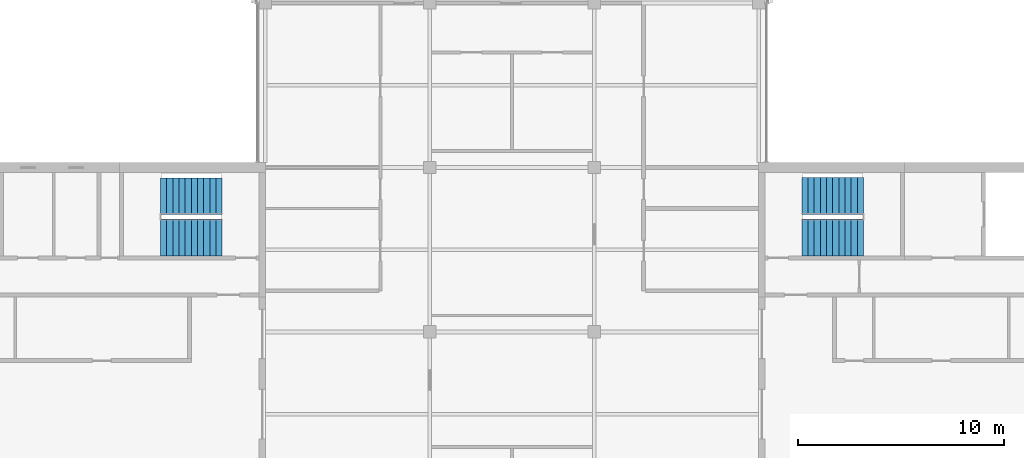
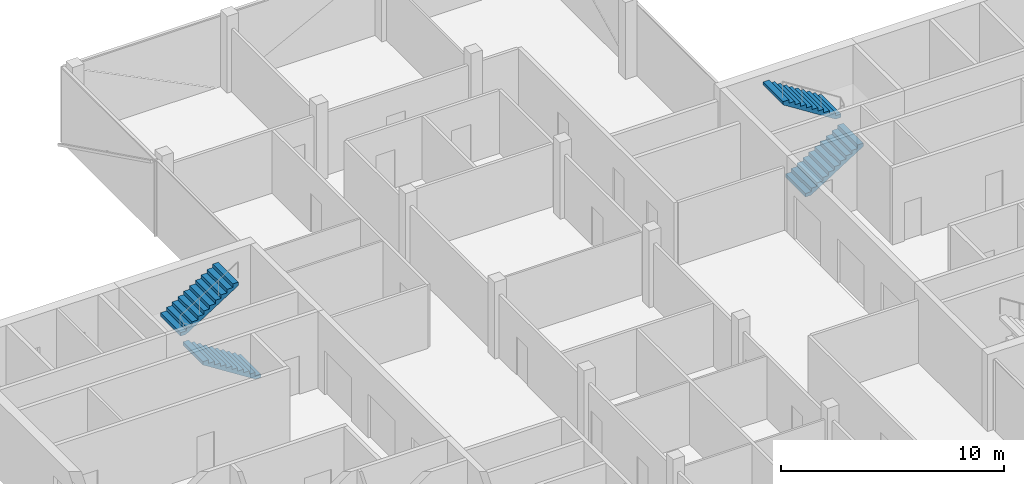
# One storey, part 13 of 16: 4 stair flights, 2 elements without a shape of their own.
"""IFC4 building model written with IfcOpenShell, lengths in metres."""

import ifcopenshell
import ifcopenshell.guid

model = None  # the IFC model being written
_history = None  # IfcOwnerHistory: only IFC2X3 demands one
_inside = {}  # id of a spatial element -> (the spatial element, [elements in it])
_under = {}  # id of a project, library or spatial element -> (it, [spatial elements below it])
_declared = {}  # id of a project -> (the project, [libraries it declares])
_typed = {}  # id of a type object -> (the type object, [elements of that type])
_made_of = {}  # id of a material, layer set ... -> (it, [elements and type objects made of it])


def new_model(schema):
    """Start an empty IFC model of exactly this schema.

    Asked for "IFC4X3", IfcOpenShell would pick the latest addendum, in which some entities
    have other attributes; the version numbers below select the first issue.
    IFC2X3 requires an IfcOwnerHistory on every rooted entity: one is made here for all.
    """
    global model, _history
    if schema == "IFC4X3":
        model = ifcopenshell.file(schema_version=(4, 3, 0, 0))
    else:
        model = ifcopenshell.file(schema=schema)
    _inside.clear()
    _under.clear()
    _declared.clear()
    _typed.clear()
    _made_of.clear()
    _history = None
    if model.schema == "IFC2X3":
        org = make("IfcOrganization", Name="unknown")
        user = make(
            "IfcPersonAndOrganization",
            ThePerson=make("IfcPerson", FamilyName="unknown"),
            TheOrganization=org,
        )
        app = make(
            "IfcApplication",
            ApplicationDeveloper=org,
            Version="unknown",
            ApplicationFullName="unknown",
            ApplicationIdentifier="unknown",
        )
        _history = make(
            "IfcOwnerHistory",
            OwningUser=user,
            OwningApplication=app,
            ChangeAction="ADDED",
            CreationDate=0,
        )
    return model


def make(cls, **values):
    """One entity of the class cls with the attributes given. An attribute that is None is left unset."""
    return model.create_entity(
        cls, **{name: value for name, value in values.items() if value is not None}
    )


def rooted(cls, **values):
    """An entity with a GlobalId (a new one), such as an element, a storey or a relation."""
    return make(cls, GlobalId=ifcopenshell.guid.new(), OwnerHistory=_history, **values)


def si_unit(unit_type, name, prefix=None):
    """IfcSIUnit, for example si_unit("LENGTHUNIT", "METRE", prefix="MILLI")."""
    return make("IfcSIUnit", UnitType=unit_type, Prefix=prefix, Name=name)


def assignment(units):
    """IfcUnitAssignment: the units of a project."""
    return None if units is None else make("IfcUnitAssignment", Units=units)


def point(xyz):
    """IfcCartesianPoint."""
    return None if xyz is None else make("IfcCartesianPoint", Coordinates=xyz)


def direction(xyz):
    """IfcDirection."""
    return None if xyz is None else make("IfcDirection", DirectionRatios=xyz)


def frame(location, z_axis=None, x_axis=None):
    """IfcAxis2Placement3D, a coordinate frame: its origin and axes. An axis left out is left unset."""
    return make(
        "IfcAxis2Placement3D",
        Location=point(location),
        Axis=direction(z_axis),
        RefDirection=direction(x_axis),
    )


def origin():
    """The frame at (0, 0, 0) with its axes left unset."""
    return frame((0.0, 0.0, 0.0))


def place(relative_to, where):
    """IfcLocalPlacement: puts the frame where relative to a parent placement (None: the world)."""
    return make(
        "IfcLocalPlacement", PlacementRelTo=relative_to, RelativePlacement=where
    )


def context(
    kind, dimensions, precision=None, world=None, true_north=None, identifier=None
):
    """IfcGeometricRepresentationContext, for example the 3D "Model" context."""
    return make(
        "IfcGeometricRepresentationContext",
        ContextIdentifier=identifier,
        ContextType=kind,
        CoordinateSpaceDimension=dimensions,
        Precision=precision,
        WorldCoordinateSystem=world,
        TrueNorth=true_north,
    )


def subcontext(parent, identifier, kind, view, scale=None):
    """IfcGeometricRepresentationSubContext, for example "Body" below "Model"."""
    return make(
        "IfcGeometricRepresentationSubContext",
        ContextIdentifier=identifier,
        ContextType=kind,
        ParentContext=parent,
        TargetScale=scale,
        TargetView=view,
    )


def project(units=None, contexts=None):
    """IfcProject with its units and contexts."""
    return rooted(
        "IfcProject",
        Name="project",
        RepresentationContexts=contexts,
        UnitsInContext=assignment(units),
    )


def spatial(cls, under=None, at=None, **own):
    """A site, building, storey or space (cls), placed at a placement, below another one or the project."""
    s = rooted(cls, ObjectPlacement=at, **own)
    if under is not None:
        _under.setdefault(under.id(), (under, []))[1].append(s)
    return s


def polyline(points):
    """IfcPolyline through the points."""
    return make("IfcPolyline", Points=[point(p) for p in points])


def outline(outer, holes=None, kind="AREA"):
    """IfcArbitraryClosedProfileDef: a profile drawn as a closed curve; with holes, ...WithVoids."""
    if holes is None:
        return make("IfcArbitraryClosedProfileDef", ProfileType=kind, OuterCurve=outer)
    return make(
        "IfcArbitraryProfileDefWithVoids",
        ProfileType=kind,
        OuterCurve=outer,
        InnerCurves=holes,
    )


def extrude(swept, where, along, depth):
    """IfcExtrudedAreaSolid: the profile swept, set in the frame where, extruded along a direction by depth."""
    return make(
        "IfcExtrudedAreaSolid",
        SweptArea=swept,
        Position=where,
        ExtrudedDirection=direction(along),
        Depth=depth,
    )


def shape(context_of_items, identifier, shape_type, items):
    """IfcShapeRepresentation: the items that make up one representation, for example the "Body"."""
    return make(
        "IfcShapeRepresentation",
        ContextOfItems=context_of_items,
        RepresentationIdentifier=identifier,
        RepresentationType=shape_type,
        Items=items,
    )


def material(Name=None, Category=None):
    """IfcMaterial."""
    return make("IfcMaterial", Name=Name, Category=Category)


def made_of(thing, what):
    """Note that an element or type object is made of a material, layer set ...; save() writes the relation."""
    if what is not None:
        _made_of.setdefault(what.id(), (what, []))[1].append(thing)
    return thing


def type_object(cls, material=None, **own):
    """A type object (cls), such as IfcWallType, which elements share."""
    return made_of(rooted(cls, **own), material)


def element(
    cls,
    number,
    at=None,
    inside=None,
    cuts=None,
    type_object=None,
    material=None,
    context=None,
    identifier="Body",
    shape_type=None,
    held_by="IfcProductDefinitionShape",
    body=None,
    shapes=None,
    **own,
):
    """One element of the class cls, such as IfcWall. Its Tag is "e" and its number.

    at: its placement. inside: the storey or other place that contains it. cuts: it is an
    opening in that element (IfcRelVoidsElement). A single representation is given by context,
    identifier, shape_type and body (its items); several are given by shapes. held_by: the class
    of the entity that holds the representations. save() writes the other relations.
    """
    e = rooted(cls, Tag="e%d" % number, ObjectPlacement=at, **own)
    if body is not None:
        shapes = [shape(context, identifier, shape_type, body)]
    if shapes is not None:
        e.Representation = make(held_by, Representations=shapes)
    if inside is not None:
        _inside.setdefault(inside.id(), (inside, []))[1].append(e)
    if cuts is not None:
        rooted(
            "IfcRelVoidsElement", RelatingBuildingElement=cuts, RelatedOpeningElement=e
        )
    if type_object is not None:
        _typed.setdefault(type_object.id(), (type_object, []))[1].append(e)
    return made_of(e, material)


def aggregate(whole, parts):
    """IfcRelAggregates: a whole, such as a stair, and the parts it consists of."""
    return rooted("IfcRelAggregates", RelatingObject=whole, RelatedObjects=parts)


def save(model, path):
    """Write the relations noted so far, then the file.

    IfcRelAggregates (storeys below a building ...), IfcRelContainedInSpatialStructure (elements
    in a storey), IfcRelDefinesByType, IfcRelAssociatesMaterial and IfcRelDeclares: one each for
    every whole, place, type object, material and project.
    """
    for whole, parts in _under.values():
        aggregate(whole, parts)
    for where, things in _inside.values():
        rooted(
            "IfcRelContainedInSpatialStructure",
            RelatedElements=things,
            RelatingStructure=where,
        )
    for kind, things in _typed.values():
        rooted("IfcRelDefinesByType", RelatedObjects=things, RelatingType=kind)
    for what, things in _made_of.values():
        rooted("IfcRelAssociatesMaterial", RelatedObjects=things, RelatingMaterial=what)
    for by, libraries in _declared.values():
        rooted("IfcRelDeclares", RelatingContext=by, RelatedDefinitions=libraries)
    model.write(path)


model = new_model("IFC4")

# Units and contexts
model_context = context("Model", 3, precision=1e-05, world=origin(), true_north=direction((0.0, 1.0)))
body_context = subcontext(model_context, "Body", "Model", "MODEL_VIEW")
ifc_project = project(units=[si_unit("LENGTHUNIT", "METRE"), si_unit("AREAUNIT", "SQUARE_METRE"), si_unit("VOLUMEUNIT", "CUBIC_METRE"), si_unit("PLANEANGLEUNIT", "RADIAN"), si_unit("MASSUNIT", "GRAM", prefix="KILO")], contexts=[model_context])

# Site, building, storey
site_placement = place(None, origin())
site = spatial("IfcSite", under=ifc_project, at=site_placement, CompositionType="ELEMENT")
building_placement = place(site_placement, origin())
building = spatial("IfcBuilding", under=site, at=building_placement, Name="Crosswind Convention Tower", CompositionType="ELEMENT")
storey_placement = place(building_placement, frame((0.0, 0.0, 340.699951171875)))
storey = spatial("IfcBuildingStorey", under=building, at=storey_placement, Name="L74", CompositionType="ELEMENT", Elevation=340.699951171875)

# Stair, stair flights
ifc_material = material(Name="Concrete C40/50", Category="concrete")
stair_type = type_object("IfcStairType", Name="Exit stair 1800 wide, 2 flights of 11 risers", PredefinedType="HALF_TURN_STAIR", material=ifc_material)
stair_1_placement = place(storey_placement, origin())
stair_1 = element("IfcStair", 1, at=stair_1_placement, inside=storey, type_object=stair_type, Name="Exit stair ST1 L74", ObjectType="ST5", PredefinedType="HALF_TURN_STAIR")
stair_flight_type = type_object("IfcStairFlightType", Name="Stair flight 1800 wide, 11 risers (SF4)", PredefinedType="STRAIGHT", material=ifc_material)
stair_flight_1_placement = place(storey_placement, frame((139.10009765625, 108.60009765625, 0.0), z_axis=(0.0, 0.0, 1.0), x_axis=(1.0, 0.0, 0.0)))
stair_flight_1 = element("IfcStairFlight", 2, at=stair_flight_1_placement, type_object=stair_flight_type, Name="ST1 flight 1", NumberOfRisers=11, NumberOfTreads=10, PredefinedType="STRAIGHT", RiserHeight=0.190909091, TreadLength=0.3, context=body_context, shape_type="SweptSolid", body=[
    extrude(outline(polyline([(0.0, 0.0), (0.0, 0.19091796875), (0.300048828125, 0.19091796875), (0.300048828125, 0.3818359375), (0.60009765625, 0.3818359375), (0.60009765625, 0.57275390625), (0.89990234375, 0.57275390625), (0.89990234375, 0.763671875), (1.199951171875, 0.763671875), (1.199951171875, 0.95458984375), (1.5, 0.95458984375), (1.5, 1.1455078125), (1.800048828125, 1.1455078125), (1.800048828125, 1.33642578125), (2.10009765625, 1.33642578125), (2.10009765625, 1.52734375), (2.39990234375, 1.52734375), (2.39990234375, 1.71826171875), (2.699951171875, 1.71826171875), (2.699951171875, 1.9091796875), (3.0, 1.9091796875), (3.0, 2.10009765625), (3.0, 1.7314453125), (0.279296875, 0.0), (0.0, 0.0)])), frame((0.0, 0.89990234375, 0.0), z_axis=(0.0, -1.0, 0.0), x_axis=(1.0, 0.0, 0.0)), (0.0, 0.0, 1.0), 1.800048828125),
])
stair_flight_2_placement = place(storey_placement, frame((142.10009765625, 110.60009765625, 2.10009765625), z_axis=(0.0, 0.0, 1.0), x_axis=(-1.0, 0.0, 0.0)))
stair_flight_2 = element("IfcStairFlight", 3, at=stair_flight_2_placement, type_object=stair_flight_type, Name="ST1 flight 2", NumberOfRisers=11, NumberOfTreads=10, PredefinedType="STRAIGHT", RiserHeight=0.190909091, TreadLength=0.3, context=body_context, shape_type="SweptSolid", body=[
    extrude(outline(polyline([(0.0, 0.0), (0.0, 0.19091796875), (0.300048828125, 0.19091796875), (0.300048828125, 0.3818359375), (0.60009765625, 0.3818359375), (0.60009765625, 0.57275390625), (0.89990234375, 0.57275390625), (0.89990234375, 0.763671875), (1.199951171875, 0.763671875), (1.199951171875, 0.95458984375), (1.5, 0.95458984375), (1.5, 1.1455078125), (1.800048828125, 1.1455078125), (1.800048828125, 1.33642578125), (2.10009765625, 1.33642578125), (2.10009765625, 1.52734375), (2.39990234375, 1.52734375), (2.39990234375, 1.71826171875), (2.699951171875, 1.71826171875), (2.699951171875, 1.9091796875), (3.0, 1.9091796875), (3.0, 2.10009765625), (3.0, 1.7314453125), (0.279296875, 0.0), (0.0, 0.0)])), frame((0.0, 0.89990234375, 0.0), z_axis=(0.0, -1.0, 0.0), x_axis=(1.0, 0.0, 0.0)), (0.0, 0.0, 1.0), 1.800048828125),
])
aggregate(stair_1, [stair_flight_1, stair_flight_2])

stair_2_placement = place(storey_placement, origin())
stair_2 = element("IfcStair", 4, at=stair_2_placement, inside=storey, type_object=stair_type, Name="Exit stair ST4 L74", ObjectType="ST5", PredefinedType="HALF_TURN_STAIR")
stair_flight_3_placement = place(storey_placement, frame((110.89990234375, 108.60009765625, 0.0), z_axis=(0.0, 0.0, 1.0), x_axis=(-1.0, 0.0, 0.0)))
stair_flight_3 = element("IfcStairFlight", 5, at=stair_flight_3_placement, type_object=stair_flight_type, Name="ST4 flight 1", NumberOfRisers=11, NumberOfTreads=10, PredefinedType="STRAIGHT", RiserHeight=0.190909091, TreadLength=0.3, context=body_context, shape_type="SweptSolid", body=[
    extrude(outline(polyline([(0.0, 0.0), (0.0, 0.19091796875), (0.300048828125, 0.19091796875), (0.300048828125, 0.3818359375), (0.60009765625, 0.3818359375), (0.60009765625, 0.57275390625), (0.89990234375, 0.57275390625), (0.89990234375, 0.763671875), (1.199951171875, 0.763671875), (1.199951171875, 0.95458984375), (1.5, 0.95458984375), (1.5, 1.1455078125), (1.800048828125, 1.1455078125), (1.800048828125, 1.33642578125), (2.10009765625, 1.33642578125), (2.10009765625, 1.52734375), (2.39990234375, 1.52734375), (2.39990234375, 1.71826171875), (2.699951171875, 1.71826171875), (2.699951171875, 1.9091796875), (3.0, 1.9091796875), (3.0, 2.10009765625), (3.0, 1.7314453125), (0.279296875, 0.0), (0.0, 0.0)])), frame((0.0, 0.89990234375, 0.0), z_axis=(0.0, -1.0, 0.0), x_axis=(1.0, 0.0, 0.0)), (0.0, 0.0, 1.0), 1.800048828125),
])
stair_flight_4_placement = place(storey_placement, frame((107.89990234375, 110.60009765625, 2.10009765625), z_axis=(0.0, 0.0, 1.0), x_axis=(1.0, 0.0, 0.0)))
stair_flight_4 = element("IfcStairFlight", 6, at=stair_flight_4_placement, type_object=stair_flight_type, Name="ST4 flight 2", NumberOfRisers=11, NumberOfTreads=10, PredefinedType="STRAIGHT", RiserHeight=0.190909091, TreadLength=0.3, context=body_context, shape_type="SweptSolid", body=[
    extrude(outline(polyline([(0.0, 0.0), (0.0, 0.19091796875), (0.300048828125, 0.19091796875), (0.300048828125, 0.3818359375), (0.60009765625, 0.3818359375), (0.60009765625, 0.57275390625), (0.89990234375, 0.57275390625), (0.89990234375, 0.763671875), (1.199951171875, 0.763671875), (1.199951171875, 0.95458984375), (1.5, 0.95458984375), (1.5, 1.1455078125), (1.800048828125, 1.1455078125), (1.800048828125, 1.33642578125), (2.10009765625, 1.33642578125), (2.10009765625, 1.52734375), (2.39990234375, 1.52734375), (2.39990234375, 1.71826171875), (2.699951171875, 1.71826171875), (2.699951171875, 1.9091796875), (3.0, 1.9091796875), (3.0, 2.10009765625), (3.0, 1.7314453125), (0.279296875, 0.0), (0.0, 0.0)])), frame((0.0, 0.89990234375, 0.0), z_axis=(0.0, -1.0, 0.0), x_axis=(1.0, 0.0, 0.0)), (0.0, 0.0, 1.0), 1.800048828125),
])
aggregate(stair_2, [stair_flight_3, stair_flight_4])

save(model, "model.ifc")
